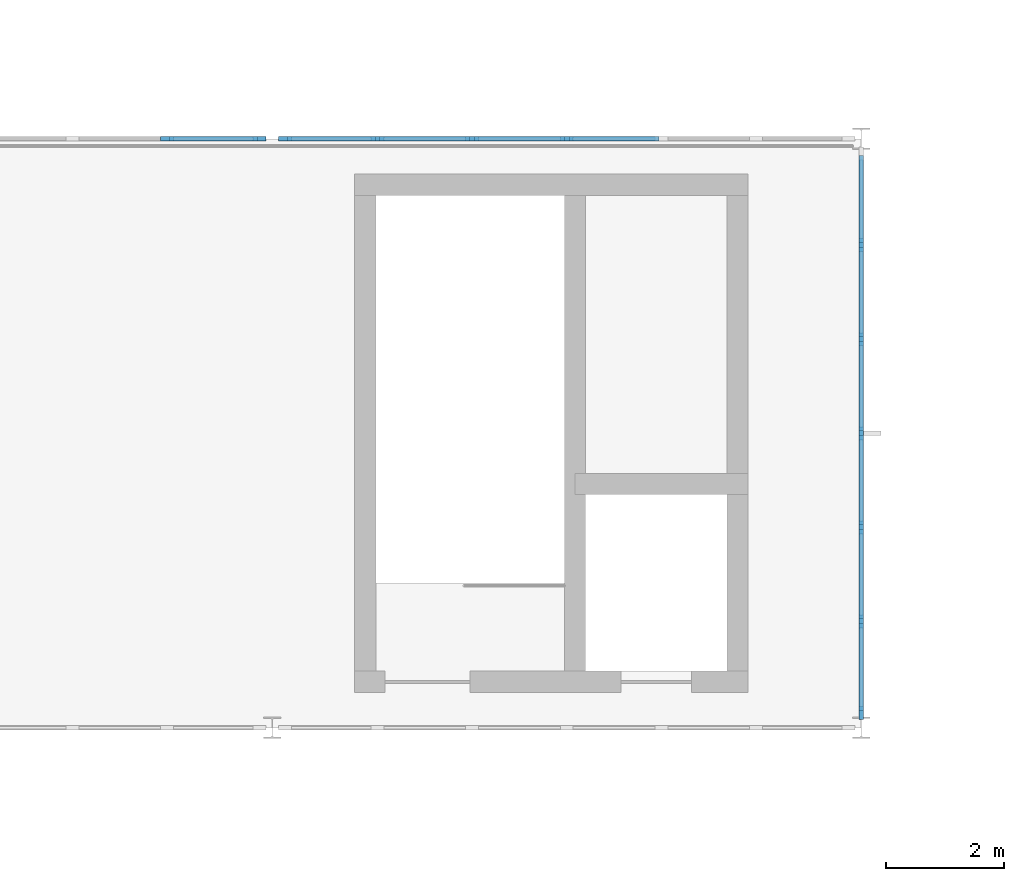
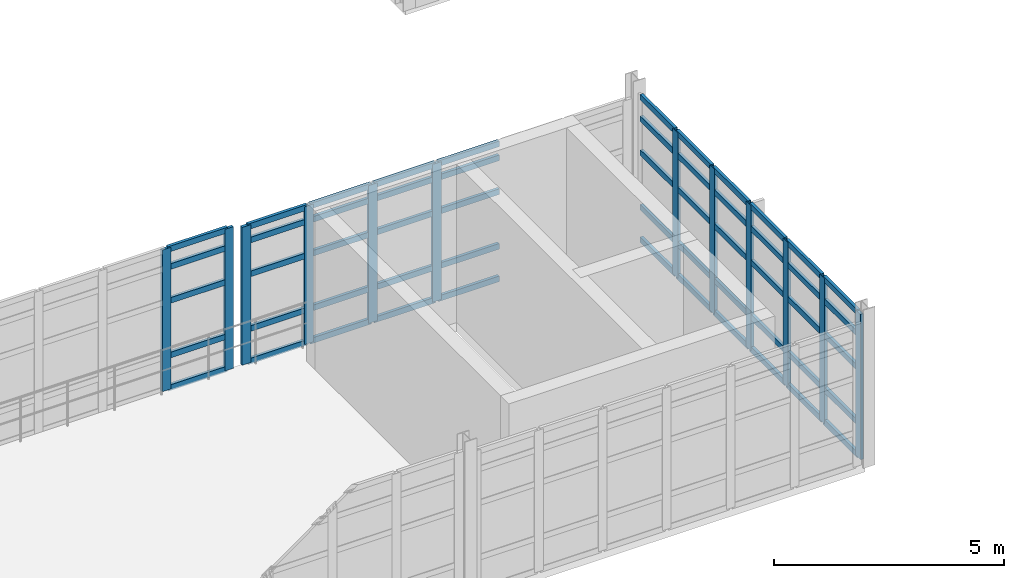
# One storey, part 47 of 122: 67 members, 3 elements without a shape of their own.
"""IFC4 building model written with IfcOpenShell, lengths in metres."""

from ifc_helpers import new_model, si_unit, direction, frame, origin, origin_2d, place, context, subcontext, project, spatial, rectangle, extrude, material, layer, layer_set, material_profile, profile_set, type_object, element, aggregate, save


model = new_model("IFC4")

# Units and contexts
model_context = context("Model", 3, precision=1e-05, world=origin(), true_north=direction((0.0, 1.0)))
body_context = subcontext(model_context, "Body", "Model", "MODEL_VIEW")
ifc_project = project(units=[si_unit("LENGTHUNIT", "METRE"), si_unit("AREAUNIT", "SQUARE_METRE"), si_unit("VOLUMEUNIT", "CUBIC_METRE"), si_unit("PLANEANGLEUNIT", "RADIAN"), si_unit("MASSUNIT", "GRAM", prefix="KILO"), si_unit("THERMODYNAMICTEMPERATUREUNIT", "KELVIN"), si_unit("POWERUNIT", "WATT")], contexts=[model_context])

# Site, building, storey
site_placement = place(None, origin())
site = spatial("IfcSite", under=ifc_project, at=site_placement, CompositionType="ELEMENT")
building_placement = place(site_placement, origin())
building = spatial("IfcBuilding", under=site, at=building_placement, Name="Korenveer Ferry Terminal", CompositionType="ELEMENT")
storey_placement = place(building_placement, frame((0.0, 0.0, 10.199951171875)))
storey = spatial("IfcBuildingStorey", under=building, at=storey_placement, Name="L02", CompositionType="ELEMENT", Elevation=10.199951171875)

# Curtain wall, members
ifc_material_1 = material(Name="Unitised bronze-and-glass curtain wall", Category="glass")
ifc_layer_1 = layer(ifc_material_1, 0.219970703125)
ifc_layer_set_1 = layer_set([ifc_layer_1], Name="Unitised bronze-and-glass curtain wall")
curtain_wall_type_1 = type_object("IfcCurtainWallType", Name="ENV-CW-90", PredefinedType="USERDEFINED", material=ifc_layer_set_1)
curtain_wall_1_placement = place(storey_placement, frame((103.179931640625, 60.0, 0.0)))
curtain_wall_1 = element("IfcCurtainWall", 1, at=curtain_wall_1_placement, inside=storey, type_object=curtain_wall_type_1, Name="Lancet curtain wall CWX-L02-X103-113-Y60-60", ObjectType="UNITISED CURTAIN WALL", PredefinedType="USERDEFINED")
ifc_material_2 = material(Name="Anodised bronze aluminium", Category="aluminium")
ifc_material_profile_1 = material_profile(ifc_material_2, rectangle(XDim=0.074951171875, YDim=0.219970703125, at=origin_2d()), Name="ALU 75x220")
ifc_profile_set_1 = profile_set([ifc_material_profile_1], Name="Anodised bronze aluminium")
member_type_1 = type_object("IfcMemberType", Name="ENV-CWM-75X220", PredefinedType="MULLION", material=ifc_profile_set_1)
member_1_placement = place(storey_placement, frame((111.21337890625, 60.0, 0.0), z_axis=(0.0, 0.0, 1.0), x_axis=(0.0, 1.0, 0.0)))
member_1 = element("IfcMember", 2, at=member_1_placement, type_object=member_type_1, Name="CW-90 mullion 6", PredefinedType="MULLION", context=body_context, shape_type="SweptSolid", body=[
    extrude(rectangle(XDim=0.074951171875, YDim=0.219970703125, at=origin_2d()), origin(), (0.0, 0.0, 1.0), 3.760009765625),
])
member_2_placement = place(storey_placement, frame((112.782470703125, 60.0, 0.0), z_axis=(0.0, 0.0, 1.0), x_axis=(0.0, 1.0, 0.0)))
member_2 = element("IfcMember", 3, at=member_2_placement, type_object=member_type_1, Name="CW-90 mullion 7", PredefinedType="MULLION", context=body_context, shape_type="SweptSolid", body=[
    extrude(rectangle(XDim=0.074951171875, YDim=0.219970703125, at=origin_2d()), origin(), (0.0, 0.0, 1.0), 3.760009765625),
])

ifc_layer_2 = layer(ifc_material_1, 0.219970703125)
ifc_layer_set_2 = layer_set([ifc_layer_2], Name="Unitised bronze-and-glass curtain wall")
curtain_wall_type_2 = type_object("IfcCurtainWallType", Name="ENV-CW-91", PredefinedType="USERDEFINED", material=ifc_layer_set_2)
curtain_wall_2_placement = place(storey_placement, frame((113.179931640625, 60.0, 0.0)))
curtain_wall_2 = element("IfcCurtainWall", 4, at=curtain_wall_2_placement, inside=storey, type_object=curtain_wall_type_2, Name="Lancet curtain wall CWX-L02-X113-123-Y60-60", ObjectType="UNITISED CURTAIN WALL", PredefinedType="USERDEFINED")
member_3_placement = place(storey_placement, frame((113.217529296875, 60.0, 0.0), z_axis=(0.0, 0.0, 1.0), x_axis=(0.0, 1.0, 0.0)))
member_3 = element("IfcMember", 5, at=member_3_placement, type_object=member_type_1, Name="CW-91 mullion 1", PredefinedType="MULLION", context=body_context, shape_type="SweptSolid", body=[
    extrude(rectangle(XDim=0.074951171875, YDim=0.219970703125, at=origin_2d()), origin(), (0.0, 0.0, 1.0), 3.66015625),
])
member_4_placement = place(storey_placement, frame((114.78662109375, 60.0, 0.0), z_axis=(0.0, 0.0, 1.0), x_axis=(0.0, 1.0, 0.0)))
member_4 = element("IfcMember", 6, at=member_4_placement, type_object=member_type_1, Name="CW-91 mullion 2", PredefinedType="MULLION", context=body_context, shape_type="SweptSolid", body=[
    extrude(rectangle(XDim=0.074951171875, YDim=0.219970703125, at=origin_2d()), origin(), (0.0, 0.0, 1.0), 3.66015625),
])
member_5_placement = place(storey_placement, frame((116.393310546875, 60.0, 0.0), z_axis=(0.0, 0.0, 1.0), x_axis=(0.0, 1.0, 0.0)))
member_5 = element("IfcMember", 7, at=member_5_placement, type_object=member_type_1, Name="CW-91 mullion 3", PredefinedType="MULLION", context=body_context, shape_type="SweptSolid", body=[
    extrude(rectangle(XDim=0.074951171875, YDim=0.219970703125, at=origin_2d()), origin(), (0.0, 0.0, 1.0), 3.66015625),
])
member_6_placement = place(storey_placement, frame((118.0, 60.0, 0.0), z_axis=(0.0, 0.0, 1.0), x_axis=(0.0, 1.0, 0.0)))
member_6 = element("IfcMember", 8, at=member_6_placement, type_object=member_type_1, Name="CW-91 mullion 4", PredefinedType="MULLION", context=body_context, shape_type="SweptSolid", body=[
    extrude(rectangle(XDim=0.074951171875, YDim=0.219970703125, at=origin_2d()), origin(), (0.0, 0.0, 1.0), 3.66015625),
])

ifc_layer_3 = layer(ifc_material_1, 0.219970703125)
ifc_layer_set_3 = layer_set([ifc_layer_3], Name="Unitised bronze-and-glass curtain wall")
curtain_wall_type_3 = type_object("IfcCurtainWallType", Name="ENV-CW-120", PredefinedType="USERDEFINED", material=ifc_layer_set_3)
curtain_wall_3_placement = place(storey_placement, frame((123.0, 59.7900390625, 0.0)))
curtain_wall_3 = element("IfcCurtainWall", 9, at=curtain_wall_3_placement, inside=storey, type_object=curtain_wall_type_3, Name="Lancet curtain wall CWX-L02-X123-123-Y50-60", ObjectType="UNITISED CURTAIN WALL", PredefinedType="USERDEFINED")
member_7_placement = place(storey_placement, frame((123.0, 58.193359375, 0.0), z_axis=(0.0, 0.0, 1.0), x_axis=(1.0, 0.0, 0.0)))
member_7 = element("IfcMember", 10, at=member_7_placement, type_object=member_type_1, Name="CW-120 mullion 2", PredefinedType="MULLION", context=body_context, shape_type="SweptSolid", body=[
    extrude(rectangle(XDim=0.074951171875, YDim=0.219970703125, at=origin_2d()), origin(), (0.0, 0.0, 1.0), 3.860107421875),
])
member_8_placement = place(storey_placement, frame((123.0, 56.5966796875, 0.0), z_axis=(0.0, 0.0, 1.0), x_axis=(1.0, 0.0, 0.0)))
member_8 = element("IfcMember", 11, at=member_8_placement, type_object=member_type_1, Name="CW-120 mullion 3", PredefinedType="MULLION", context=body_context, shape_type="SweptSolid", body=[
    extrude(rectangle(XDim=0.074951171875, YDim=0.219970703125, at=origin_2d()), origin(), (0.0, 0.0, 1.0), 3.860107421875),
])
member_9_placement = place(storey_placement, frame((123.0, 55.0, 0.0), z_axis=(0.0, 0.0, 1.0), x_axis=(1.0, 0.0, 0.0)))
member_9 = element("IfcMember", 12, at=member_9_placement, type_object=member_type_1, Name="CW-120 mullion 4", PredefinedType="MULLION", context=body_context, shape_type="SweptSolid", body=[
    extrude(rectangle(XDim=0.074951171875, YDim=0.219970703125, at=origin_2d()), origin(), (0.0, 0.0, 1.0), 3.860107421875),
])
member_10_placement = place(storey_placement, frame((123.0, 53.4033203125, 0.0), z_axis=(0.0, 0.0, 1.0), x_axis=(1.0, 0.0, 0.0)))
member_10 = element("IfcMember", 13, at=member_10_placement, type_object=member_type_1, Name="CW-120 mullion 5", PredefinedType="MULLION", context=body_context, shape_type="SweptSolid", body=[
    extrude(rectangle(XDim=0.074951171875, YDim=0.219970703125, at=origin_2d()), origin(), (0.0, 0.0, 1.0), 3.860107421875),
])
member_11_placement = place(storey_placement, frame((123.0, 51.806640625, 0.0), z_axis=(0.0, 0.0, 1.0), x_axis=(1.0, 0.0, 0.0)))
member_11 = element("IfcMember", 14, at=member_11_placement, type_object=member_type_1, Name="CW-120 mullion 6", PredefinedType="MULLION", context=body_context, shape_type="SweptSolid", body=[
    extrude(rectangle(XDim=0.074951171875, YDim=0.219970703125, at=origin_2d()), origin(), (0.0, 0.0, 1.0), 3.860107421875),
])
member_12_placement = place(storey_placement, frame((123.0, 50.24755859375, 0.0), z_axis=(0.0, 0.0, 1.0), x_axis=(1.0, 0.0, 0.0)))
member_12 = element("IfcMember", 15, at=member_12_placement, type_object=member_type_1, Name="CW-120 mullion 7", PredefinedType="MULLION", context=body_context, shape_type="SweptSolid", body=[
    extrude(rectangle(XDim=0.074951171875, YDim=0.219970703125, at=origin_2d()), origin(), (0.0, 0.0, 1.0), 3.860107421875),
])

# Member
ifc_material_profile_2 = material_profile(ifc_material_2, rectangle(XDim=0.074951171875, YDim=0.14990234375, at=origin_2d()), Name="ALU 75x150")
ifc_profile_set_2 = profile_set([ifc_material_profile_2], Name="Anodised bronze aluminium")
member_type_2 = type_object("IfcMemberType", Name="ENV-CWT-75X150", PredefinedType="USERDEFINED", material=ifc_profile_set_2)
member_13_placement = place(storey_placement, frame((111.250732421875, 60.0, 0.03759765625), z_axis=(1.0, 0.0, 0.0), x_axis=(0.0, 1.0, 0.0)))
member_13 = element("IfcMember", 16, at=member_13_placement, type_object=member_type_2, Name="CW-90 transom 6.1", ObjectType="TRANSOM", PredefinedType="USERDEFINED", context=body_context, shape_type="SweptSolid", body=[
    extrude(rectangle(XDim=0.074951171875, YDim=0.14990234375, at=origin_2d()), origin(), (0.0, 0.0, 1.0), 1.494384765625),
])

member_14_placement = place(storey_placement, frame((111.250732421875, 60.0, 0.900146484375), z_axis=(1.0, 0.0, 0.0), x_axis=(0.0, 1.0, 0.0)))
member_14 = element("IfcMember", 17, at=member_14_placement, type_object=member_type_2, Name="CW-90 transom 6.2", ObjectType="TRANSOM", PredefinedType="USERDEFINED", context=body_context, shape_type="SweptSolid", body=[
    extrude(rectangle(XDim=0.074951171875, YDim=0.14990234375, at=origin_2d()), origin(), (0.0, 0.0, 1.0), 1.494384765625),
])

member_15_placement = place(storey_placement, frame((111.250732421875, 60.0, 2.35009765625), z_axis=(1.0, 0.0, 0.0), x_axis=(0.0, 1.0, 0.0)))
member_15 = element("IfcMember", 18, at=member_15_placement, type_object=member_type_2, Name="CW-90 transom 6.3", ObjectType="TRANSOM", PredefinedType="USERDEFINED", context=body_context, shape_type="SweptSolid", body=[
    extrude(rectangle(XDim=0.074951171875, YDim=0.14990234375, at=origin_2d()), origin(), (0.0, 0.0, 1.0), 1.494384765625),
])

member_16_placement = place(storey_placement, frame((111.250732421875, 60.0, 3.25), z_axis=(1.0, 0.0, 0.0), x_axis=(0.0, 1.0, 0.0)))
member_16 = element("IfcMember", 19, at=member_16_placement, type_object=member_type_2, Name="CW-90 transom 6.4", ObjectType="TRANSOM", PredefinedType="USERDEFINED", context=body_context, shape_type="SweptSolid", body=[
    extrude(rectangle(XDim=0.074951171875, YDim=0.14990234375, at=origin_2d()), origin(), (0.0, 0.0, 1.0), 1.494384765625),
])

member_17_placement = place(storey_placement, frame((111.250732421875, 60.0, 3.72265625), z_axis=(1.0, 0.0, 0.0), x_axis=(0.0, 1.0, 0.0)))
member_17 = element("IfcMember", 20, at=member_17_placement, type_object=member_type_2, Name="CW-90 transom 6.5", ObjectType="TRANSOM", PredefinedType="USERDEFINED", context=body_context, shape_type="SweptSolid", body=[
    extrude(rectangle(XDim=0.074951171875, YDim=0.14990234375, at=origin_2d()), origin(), (0.0, 0.0, 1.0), 1.494384765625),
])

aggregate(curtain_wall_1, [member_1, member_2, member_13, member_14, member_15, member_16, member_17])

member_18_placement = place(storey_placement, frame((113.2548828125, 60.0, 0.03759765625), z_axis=(1.0, 0.0, 0.0), x_axis=(0.0, 1.0, 0.0)))
member_18 = element("IfcMember", 21, at=member_18_placement, type_object=member_type_2, Name="CW-91 transom 1.1", ObjectType="TRANSOM", PredefinedType="USERDEFINED", context=body_context, shape_type="SweptSolid", body=[
    extrude(rectangle(XDim=0.074951171875, YDim=0.14990234375, at=origin_2d()), origin(), (0.0, 0.0, 1.0), 1.494384765625),
])

member_19_placement = place(storey_placement, frame((113.2548828125, 60.0, 0.900146484375), z_axis=(1.0, 0.0, 0.0), x_axis=(0.0, 1.0, 0.0)))
member_19 = element("IfcMember", 22, at=member_19_placement, type_object=member_type_2, Name="CW-91 transom 1.2", ObjectType="TRANSOM", PredefinedType="USERDEFINED", context=body_context, shape_type="SweptSolid", body=[
    extrude(rectangle(XDim=0.074951171875, YDim=0.14990234375, at=origin_2d()), origin(), (0.0, 0.0, 1.0), 1.494384765625),
])

member_20_placement = place(storey_placement, frame((113.2548828125, 60.0, 2.35009765625), z_axis=(1.0, 0.0, 0.0), x_axis=(0.0, 1.0, 0.0)))
member_20 = element("IfcMember", 23, at=member_20_placement, type_object=member_type_2, Name="CW-91 transom 1.3", ObjectType="TRANSOM", PredefinedType="USERDEFINED", context=body_context, shape_type="SweptSolid", body=[
    extrude(rectangle(XDim=0.074951171875, YDim=0.14990234375, at=origin_2d()), origin(), (0.0, 0.0, 1.0), 1.494384765625),
])

member_21_placement = place(storey_placement, frame((113.2548828125, 60.0, 3.25), z_axis=(1.0, 0.0, 0.0), x_axis=(0.0, 1.0, 0.0)))
member_21 = element("IfcMember", 24, at=member_21_placement, type_object=member_type_2, Name="CW-91 transom 1.4", ObjectType="TRANSOM", PredefinedType="USERDEFINED", context=body_context, shape_type="SweptSolid", body=[
    extrude(rectangle(XDim=0.074951171875, YDim=0.14990234375, at=origin_2d()), origin(), (0.0, 0.0, 1.0), 1.494384765625),
])

member_22_placement = place(storey_placement, frame((113.2548828125, 60.0, 3.62255859375), z_axis=(1.0, 0.0, 0.0), x_axis=(0.0, 1.0, 0.0)))
member_22 = element("IfcMember", 25, at=member_22_placement, type_object=member_type_2, Name="CW-91 transom 1.5", ObjectType="TRANSOM", PredefinedType="USERDEFINED", context=body_context, shape_type="SweptSolid", body=[
    extrude(rectangle(XDim=0.074951171875, YDim=0.14990234375, at=origin_2d()), origin(), (0.0, 0.0, 1.0), 1.494384765625),
])

member_23_placement = place(storey_placement, frame((114.82421875, 60.0, 0.03759765625), z_axis=(1.0, 0.0, 0.0), x_axis=(0.0, 1.0, 0.0)))
member_23 = element("IfcMember", 26, at=member_23_placement, type_object=member_type_2, Name="CW-91 transom 2.1", ObjectType="TRANSOM", PredefinedType="USERDEFINED", context=body_context, shape_type="SweptSolid", body=[
    extrude(rectangle(XDim=0.074951171875, YDim=0.14990234375, at=origin_2d()), origin(), (0.0, 0.0, 1.0), 1.531494140625),
])

member_24_placement = place(storey_placement, frame((114.82421875, 60.0, 0.900146484375), z_axis=(1.0, 0.0, 0.0), x_axis=(0.0, 1.0, 0.0)))
member_24 = element("IfcMember", 27, at=member_24_placement, type_object=member_type_2, Name="CW-91 transom 2.2", ObjectType="TRANSOM", PredefinedType="USERDEFINED", context=body_context, shape_type="SweptSolid", body=[
    extrude(rectangle(XDim=0.074951171875, YDim=0.14990234375, at=origin_2d()), origin(), (0.0, 0.0, 1.0), 1.531494140625),
])

member_25_placement = place(storey_placement, frame((114.82421875, 60.0, 2.35009765625), z_axis=(1.0, 0.0, 0.0), x_axis=(0.0, 1.0, 0.0)))
member_25 = element("IfcMember", 28, at=member_25_placement, type_object=member_type_2, Name="CW-91 transom 2.3", ObjectType="TRANSOM", PredefinedType="USERDEFINED", context=body_context, shape_type="SweptSolid", body=[
    extrude(rectangle(XDim=0.074951171875, YDim=0.14990234375, at=origin_2d()), origin(), (0.0, 0.0, 1.0), 1.531494140625),
])

member_26_placement = place(storey_placement, frame((114.82421875, 60.0, 3.25), z_axis=(1.0, 0.0, 0.0), x_axis=(0.0, 1.0, 0.0)))
member_26 = element("IfcMember", 29, at=member_26_placement, type_object=member_type_2, Name="CW-91 transom 2.4", ObjectType="TRANSOM", PredefinedType="USERDEFINED", context=body_context, shape_type="SweptSolid", body=[
    extrude(rectangle(XDim=0.074951171875, YDim=0.14990234375, at=origin_2d()), origin(), (0.0, 0.0, 1.0), 1.531494140625),
])

member_27_placement = place(storey_placement, frame((114.82421875, 60.0, 3.62255859375), z_axis=(1.0, 0.0, 0.0), x_axis=(0.0, 1.0, 0.0)))
member_27 = element("IfcMember", 30, at=member_27_placement, type_object=member_type_2, Name="CW-91 transom 2.5", ObjectType="TRANSOM", PredefinedType="USERDEFINED", context=body_context, shape_type="SweptSolid", body=[
    extrude(rectangle(XDim=0.074951171875, YDim=0.14990234375, at=origin_2d()), origin(), (0.0, 0.0, 1.0), 1.531494140625),
])

member_28_placement = place(storey_placement, frame((116.430908203125, 60.0, 0.03759765625), z_axis=(1.0, 0.0, 0.0), x_axis=(0.0, 1.0, 0.0)))
member_28 = element("IfcMember", 31, at=member_28_placement, type_object=member_type_2, Name="CW-91 transom 3.1", ObjectType="TRANSOM", PredefinedType="USERDEFINED", context=body_context, shape_type="SweptSolid", body=[
    extrude(rectangle(XDim=0.074951171875, YDim=0.14990234375, at=origin_2d()), origin(), (0.0, 0.0, 1.0), 1.531494140625),
])

member_29_placement = place(storey_placement, frame((116.430908203125, 60.0, 0.900146484375), z_axis=(1.0, 0.0, 0.0), x_axis=(0.0, 1.0, 0.0)))
member_29 = element("IfcMember", 32, at=member_29_placement, type_object=member_type_2, Name="CW-91 transom 3.2", ObjectType="TRANSOM", PredefinedType="USERDEFINED", context=body_context, shape_type="SweptSolid", body=[
    extrude(rectangle(XDim=0.074951171875, YDim=0.14990234375, at=origin_2d()), origin(), (0.0, 0.0, 1.0), 1.531494140625),
])

member_30_placement = place(storey_placement, frame((116.430908203125, 60.0, 2.35009765625), z_axis=(1.0, 0.0, 0.0), x_axis=(0.0, 1.0, 0.0)))
member_30 = element("IfcMember", 33, at=member_30_placement, type_object=member_type_2, Name="CW-91 transom 3.3", ObjectType="TRANSOM", PredefinedType="USERDEFINED", context=body_context, shape_type="SweptSolid", body=[
    extrude(rectangle(XDim=0.074951171875, YDim=0.14990234375, at=origin_2d()), origin(), (0.0, 0.0, 1.0), 1.531494140625),
])

member_31_placement = place(storey_placement, frame((116.430908203125, 60.0, 3.25), z_axis=(1.0, 0.0, 0.0), x_axis=(0.0, 1.0, 0.0)))
member_31 = element("IfcMember", 34, at=member_31_placement, type_object=member_type_2, Name="CW-91 transom 3.4", ObjectType="TRANSOM", PredefinedType="USERDEFINED", context=body_context, shape_type="SweptSolid", body=[
    extrude(rectangle(XDim=0.074951171875, YDim=0.14990234375, at=origin_2d()), origin(), (0.0, 0.0, 1.0), 1.531494140625),
])

member_32_placement = place(storey_placement, frame((116.430908203125, 60.0, 3.62255859375), z_axis=(1.0, 0.0, 0.0), x_axis=(0.0, 1.0, 0.0)))
member_32 = element("IfcMember", 35, at=member_32_placement, type_object=member_type_2, Name="CW-91 transom 3.5", ObjectType="TRANSOM", PredefinedType="USERDEFINED", context=body_context, shape_type="SweptSolid", body=[
    extrude(rectangle(XDim=0.074951171875, YDim=0.14990234375, at=origin_2d()), origin(), (0.0, 0.0, 1.0), 1.531494140625),
])

member_33_placement = place(storey_placement, frame((118.03759765625, 60.0, 0.03759765625), z_axis=(1.0, 0.0, 0.0), x_axis=(0.0, 1.0, 0.0)))
member_33 = element("IfcMember", 36, at=member_33_placement, type_object=member_type_2, Name="CW-91 transom 4.1", ObjectType="TRANSOM", PredefinedType="USERDEFINED", context=body_context, shape_type="SweptSolid", body=[
    extrude(rectangle(XDim=0.074951171875, YDim=0.14990234375, at=origin_2d()), origin(), (0.0, 0.0, 1.0), 1.531494140625),
])

member_34_placement = place(storey_placement, frame((118.03759765625, 60.0, 0.900146484375), z_axis=(1.0, 0.0, 0.0), x_axis=(0.0, 1.0, 0.0)))
member_34 = element("IfcMember", 37, at=member_34_placement, type_object=member_type_2, Name="CW-91 transom 4.2", ObjectType="TRANSOM", PredefinedType="USERDEFINED", context=body_context, shape_type="SweptSolid", body=[
    extrude(rectangle(XDim=0.074951171875, YDim=0.14990234375, at=origin_2d()), origin(), (0.0, 0.0, 1.0), 1.531494140625),
])

member_35_placement = place(storey_placement, frame((118.03759765625, 60.0, 2.35009765625), z_axis=(1.0, 0.0, 0.0), x_axis=(0.0, 1.0, 0.0)))
member_35 = element("IfcMember", 38, at=member_35_placement, type_object=member_type_2, Name="CW-91 transom 4.3", ObjectType="TRANSOM", PredefinedType="USERDEFINED", context=body_context, shape_type="SweptSolid", body=[
    extrude(rectangle(XDim=0.074951171875, YDim=0.14990234375, at=origin_2d()), origin(), (0.0, 0.0, 1.0), 1.531494140625),
])

member_36_placement = place(storey_placement, frame((118.03759765625, 60.0, 3.25), z_axis=(1.0, 0.0, 0.0), x_axis=(0.0, 1.0, 0.0)))
member_36 = element("IfcMember", 39, at=member_36_placement, type_object=member_type_2, Name="CW-91 transom 4.4", ObjectType="TRANSOM", PredefinedType="USERDEFINED", context=body_context, shape_type="SweptSolid", body=[
    extrude(rectangle(XDim=0.074951171875, YDim=0.14990234375, at=origin_2d()), origin(), (0.0, 0.0, 1.0), 1.531494140625),
])

member_37_placement = place(storey_placement, frame((118.03759765625, 60.0, 3.62255859375), z_axis=(1.0, 0.0, 0.0), x_axis=(0.0, 1.0, 0.0)))
member_37 = element("IfcMember", 40, at=member_37_placement, type_object=member_type_2, Name="CW-91 transom 4.5", ObjectType="TRANSOM", PredefinedType="USERDEFINED", context=body_context, shape_type="SweptSolid", body=[
    extrude(rectangle(XDim=0.074951171875, YDim=0.14990234375, at=origin_2d()), origin(), (0.0, 0.0, 1.0), 1.531494140625),
])

aggregate(curtain_wall_2, [member_3, member_4, member_5, member_6, member_18, member_19, member_20, member_21, member_22, member_23, member_24, member_25, member_26, member_27, member_28, member_29, member_30, member_31, member_32, member_33, member_34, member_35, member_36, member_37])

member_38_placement = place(storey_placement, frame((123.0, 59.715087890625, 0.03759765625), z_axis=(0.0, -1.0, 0.0), x_axis=(1.0, 0.0, 0.0)))
member_38 = element("IfcMember", 41, at=member_38_placement, type_object=member_type_2, Name="CW-120 transom 1.1", ObjectType="TRANSOM", PredefinedType="USERDEFINED", context=body_context, shape_type="SweptSolid", body=[
    extrude(rectangle(XDim=0.074951171875, YDim=0.14990234375, at=origin_2d()), origin(), (0.0, 0.0, 1.0), 1.484375),
])

member_39_placement = place(storey_placement, frame((123.0, 59.715087890625, 0.900146484375), z_axis=(0.0, -1.0, 0.0), x_axis=(1.0, 0.0, 0.0)))
member_39 = element("IfcMember", 42, at=member_39_placement, type_object=member_type_2, Name="CW-120 transom 1.2", ObjectType="TRANSOM", PredefinedType="USERDEFINED", context=body_context, shape_type="SweptSolid", body=[
    extrude(rectangle(XDim=0.074951171875, YDim=0.14990234375, at=origin_2d()), origin(), (0.0, 0.0, 1.0), 1.484375),
])

member_40_placement = place(storey_placement, frame((123.0, 59.715087890625, 2.35009765625), z_axis=(0.0, -1.0, 0.0), x_axis=(1.0, 0.0, 0.0)))
member_40 = element("IfcMember", 43, at=member_40_placement, type_object=member_type_2, Name="CW-120 transom 1.3", ObjectType="TRANSOM", PredefinedType="USERDEFINED", context=body_context, shape_type="SweptSolid", body=[
    extrude(rectangle(XDim=0.074951171875, YDim=0.14990234375, at=origin_2d()), origin(), (0.0, 0.0, 1.0), 1.484375),
])

member_41_placement = place(storey_placement, frame((123.0, 59.715087890625, 3.25), z_axis=(0.0, -1.0, 0.0), x_axis=(1.0, 0.0, 0.0)))
member_41 = element("IfcMember", 44, at=member_41_placement, type_object=member_type_2, Name="CW-120 transom 1.4", ObjectType="TRANSOM", PredefinedType="USERDEFINED", context=body_context, shape_type="SweptSolid", body=[
    extrude(rectangle(XDim=0.074951171875, YDim=0.14990234375, at=origin_2d()), origin(), (0.0, 0.0, 1.0), 1.484375),
])

member_42_placement = place(storey_placement, frame((123.0, 59.715087890625, 3.822509765625), z_axis=(0.0, -1.0, 0.0), x_axis=(1.0, 0.0, 0.0)))
member_42 = element("IfcMember", 45, at=member_42_placement, type_object=member_type_2, Name="CW-120 transom 1.5", ObjectType="TRANSOM", PredefinedType="USERDEFINED", context=body_context, shape_type="SweptSolid", body=[
    extrude(rectangle(XDim=0.074951171875, YDim=0.14990234375, at=origin_2d()), origin(), (0.0, 0.0, 1.0), 1.484375),
])

member_43_placement = place(storey_placement, frame((123.0, 58.15576171875, 0.03759765625), z_axis=(0.0, -1.0, 0.0), x_axis=(1.0, 0.0, 0.0)))
member_43 = element("IfcMember", 46, at=member_43_placement, type_object=member_type_2, Name="CW-120 transom 2.1", ObjectType="TRANSOM", PredefinedType="USERDEFINED", context=body_context, shape_type="SweptSolid", body=[
    extrude(rectangle(XDim=0.074951171875, YDim=0.14990234375, at=origin_2d()), origin(), (0.0, 0.0, 1.0), 1.521484375),
])

member_44_placement = place(storey_placement, frame((123.0, 58.15576171875, 0.900146484375), z_axis=(0.0, -1.0, 0.0), x_axis=(1.0, 0.0, 0.0)))
member_44 = element("IfcMember", 47, at=member_44_placement, type_object=member_type_2, Name="CW-120 transom 2.2", ObjectType="TRANSOM", PredefinedType="USERDEFINED", context=body_context, shape_type="SweptSolid", body=[
    extrude(rectangle(XDim=0.074951171875, YDim=0.14990234375, at=origin_2d()), origin(), (0.0, 0.0, 1.0), 1.521484375),
])

member_45_placement = place(storey_placement, frame((123.0, 58.15576171875, 2.35009765625), z_axis=(0.0, -1.0, 0.0), x_axis=(1.0, 0.0, 0.0)))
member_45 = element("IfcMember", 48, at=member_45_placement, type_object=member_type_2, Name="CW-120 transom 2.3", ObjectType="TRANSOM", PredefinedType="USERDEFINED", context=body_context, shape_type="SweptSolid", body=[
    extrude(rectangle(XDim=0.074951171875, YDim=0.14990234375, at=origin_2d()), origin(), (0.0, 0.0, 1.0), 1.521484375),
])

member_46_placement = place(storey_placement, frame((123.0, 58.15576171875, 3.25), z_axis=(0.0, -1.0, 0.0), x_axis=(1.0, 0.0, 0.0)))
member_46 = element("IfcMember", 49, at=member_46_placement, type_object=member_type_2, Name="CW-120 transom 2.4", ObjectType="TRANSOM", PredefinedType="USERDEFINED", context=body_context, shape_type="SweptSolid", body=[
    extrude(rectangle(XDim=0.074951171875, YDim=0.14990234375, at=origin_2d()), origin(), (0.0, 0.0, 1.0), 1.521484375),
])

member_47_placement = place(storey_placement, frame((123.0, 58.15576171875, 3.822509765625), z_axis=(0.0, -1.0, 0.0), x_axis=(1.0, 0.0, 0.0)))
member_47 = element("IfcMember", 50, at=member_47_placement, type_object=member_type_2, Name="CW-120 transom 2.5", ObjectType="TRANSOM", PredefinedType="USERDEFINED", context=body_context, shape_type="SweptSolid", body=[
    extrude(rectangle(XDim=0.074951171875, YDim=0.14990234375, at=origin_2d()), origin(), (0.0, 0.0, 1.0), 1.521484375),
])

member_48_placement = place(storey_placement, frame((123.0, 56.55908203125, 0.03759765625), z_axis=(0.0, -1.0, 0.0), x_axis=(1.0, 0.0, 0.0)))
member_48 = element("IfcMember", 51, at=member_48_placement, type_object=member_type_2, Name="CW-120 transom 3.1", ObjectType="TRANSOM", PredefinedType="USERDEFINED", context=body_context, shape_type="SweptSolid", body=[
    extrude(rectangle(XDim=0.074951171875, YDim=0.14990234375, at=origin_2d()), origin(), (0.0, 0.0, 1.0), 1.521484375),
])

member_49_placement = place(storey_placement, frame((123.0, 56.55908203125, 0.900146484375), z_axis=(0.0, -1.0, 0.0), x_axis=(1.0, 0.0, 0.0)))
member_49 = element("IfcMember", 52, at=member_49_placement, type_object=member_type_2, Name="CW-120 transom 3.2", ObjectType="TRANSOM", PredefinedType="USERDEFINED", context=body_context, shape_type="SweptSolid", body=[
    extrude(rectangle(XDim=0.074951171875, YDim=0.14990234375, at=origin_2d()), origin(), (0.0, 0.0, 1.0), 1.521484375),
])

member_50_placement = place(storey_placement, frame((123.0, 56.55908203125, 2.35009765625), z_axis=(0.0, -1.0, 0.0), x_axis=(1.0, 0.0, 0.0)))
member_50 = element("IfcMember", 53, at=member_50_placement, type_object=member_type_2, Name="CW-120 transom 3.3", ObjectType="TRANSOM", PredefinedType="USERDEFINED", context=body_context, shape_type="SweptSolid", body=[
    extrude(rectangle(XDim=0.074951171875, YDim=0.14990234375, at=origin_2d()), origin(), (0.0, 0.0, 1.0), 1.521484375),
])

member_51_placement = place(storey_placement, frame((123.0, 56.55908203125, 3.25), z_axis=(0.0, -1.0, 0.0), x_axis=(1.0, 0.0, 0.0)))
member_51 = element("IfcMember", 54, at=member_51_placement, type_object=member_type_2, Name="CW-120 transom 3.4", ObjectType="TRANSOM", PredefinedType="USERDEFINED", context=body_context, shape_type="SweptSolid", body=[
    extrude(rectangle(XDim=0.074951171875, YDim=0.14990234375, at=origin_2d()), origin(), (0.0, 0.0, 1.0), 1.521484375),
])

member_52_placement = place(storey_placement, frame((123.0, 56.55908203125, 3.822509765625), z_axis=(0.0, -1.0, 0.0), x_axis=(1.0, 0.0, 0.0)))
member_52 = element("IfcMember", 55, at=member_52_placement, type_object=member_type_2, Name="CW-120 transom 3.5", ObjectType="TRANSOM", PredefinedType="USERDEFINED", context=body_context, shape_type="SweptSolid", body=[
    extrude(rectangle(XDim=0.074951171875, YDim=0.14990234375, at=origin_2d()), origin(), (0.0, 0.0, 1.0), 1.521484375),
])

member_53_placement = place(storey_placement, frame((123.0, 54.96240234375, 0.03759765625), z_axis=(0.0, -1.0, 0.0), x_axis=(1.0, 0.0, 0.0)))
member_53 = element("IfcMember", 56, at=member_53_placement, type_object=member_type_2, Name="CW-120 transom 4.1", ObjectType="TRANSOM", PredefinedType="USERDEFINED", context=body_context, shape_type="SweptSolid", body=[
    extrude(rectangle(XDim=0.074951171875, YDim=0.14990234375, at=origin_2d()), origin(), (0.0, 0.0, 1.0), 1.521484375),
])

member_54_placement = place(storey_placement, frame((123.0, 54.96240234375, 0.900146484375), z_axis=(0.0, -1.0, 0.0), x_axis=(1.0, 0.0, 0.0)))
member_54 = element("IfcMember", 57, at=member_54_placement, type_object=member_type_2, Name="CW-120 transom 4.2", ObjectType="TRANSOM", PredefinedType="USERDEFINED", context=body_context, shape_type="SweptSolid", body=[
    extrude(rectangle(XDim=0.074951171875, YDim=0.14990234375, at=origin_2d()), origin(), (0.0, 0.0, 1.0), 1.521484375),
])

member_55_placement = place(storey_placement, frame((123.0, 54.96240234375, 2.35009765625), z_axis=(0.0, -1.0, 0.0), x_axis=(1.0, 0.0, 0.0)))
member_55 = element("IfcMember", 58, at=member_55_placement, type_object=member_type_2, Name="CW-120 transom 4.3", ObjectType="TRANSOM", PredefinedType="USERDEFINED", context=body_context, shape_type="SweptSolid", body=[
    extrude(rectangle(XDim=0.074951171875, YDim=0.14990234375, at=origin_2d()), origin(), (0.0, 0.0, 1.0), 1.521484375),
])

member_56_placement = place(storey_placement, frame((123.0, 54.96240234375, 3.25), z_axis=(0.0, -1.0, 0.0), x_axis=(1.0, 0.0, 0.0)))
member_56 = element("IfcMember", 59, at=member_56_placement, type_object=member_type_2, Name="CW-120 transom 4.4", ObjectType="TRANSOM", PredefinedType="USERDEFINED", context=body_context, shape_type="SweptSolid", body=[
    extrude(rectangle(XDim=0.074951171875, YDim=0.14990234375, at=origin_2d()), origin(), (0.0, 0.0, 1.0), 1.521484375),
])

member_57_placement = place(storey_placement, frame((123.0, 54.96240234375, 3.822509765625), z_axis=(0.0, -1.0, 0.0), x_axis=(1.0, 0.0, 0.0)))
member_57 = element("IfcMember", 60, at=member_57_placement, type_object=member_type_2, Name="CW-120 transom 4.5", ObjectType="TRANSOM", PredefinedType="USERDEFINED", context=body_context, shape_type="SweptSolid", body=[
    extrude(rectangle(XDim=0.074951171875, YDim=0.14990234375, at=origin_2d()), origin(), (0.0, 0.0, 1.0), 1.521484375),
])

member_58_placement = place(storey_placement, frame((123.0, 53.36572265625, 0.03759765625), z_axis=(0.0, -1.0, 0.0), x_axis=(1.0, 0.0, 0.0)))
member_58 = element("IfcMember", 61, at=member_58_placement, type_object=member_type_2, Name="CW-120 transom 5.1", ObjectType="TRANSOM", PredefinedType="USERDEFINED", context=body_context, shape_type="SweptSolid", body=[
    extrude(rectangle(XDim=0.074951171875, YDim=0.14990234375, at=origin_2d()), origin(), (0.0, 0.0, 1.0), 1.521484375),
])

member_59_placement = place(storey_placement, frame((123.0, 53.36572265625, 0.900146484375), z_axis=(0.0, -1.0, 0.0), x_axis=(1.0, 0.0, 0.0)))
member_59 = element("IfcMember", 62, at=member_59_placement, type_object=member_type_2, Name="CW-120 transom 5.2", ObjectType="TRANSOM", PredefinedType="USERDEFINED", context=body_context, shape_type="SweptSolid", body=[
    extrude(rectangle(XDim=0.074951171875, YDim=0.14990234375, at=origin_2d()), origin(), (0.0, 0.0, 1.0), 1.521484375),
])

member_60_placement = place(storey_placement, frame((123.0, 53.36572265625, 2.35009765625), z_axis=(0.0, -1.0, 0.0), x_axis=(1.0, 0.0, 0.0)))
member_60 = element("IfcMember", 63, at=member_60_placement, type_object=member_type_2, Name="CW-120 transom 5.3", ObjectType="TRANSOM", PredefinedType="USERDEFINED", context=body_context, shape_type="SweptSolid", body=[
    extrude(rectangle(XDim=0.074951171875, YDim=0.14990234375, at=origin_2d()), origin(), (0.0, 0.0, 1.0), 1.521484375),
])

member_61_placement = place(storey_placement, frame((123.0, 53.36572265625, 3.25), z_axis=(0.0, -1.0, 0.0), x_axis=(1.0, 0.0, 0.0)))
member_61 = element("IfcMember", 64, at=member_61_placement, type_object=member_type_2, Name="CW-120 transom 5.4", ObjectType="TRANSOM", PredefinedType="USERDEFINED", context=body_context, shape_type="SweptSolid", body=[
    extrude(rectangle(XDim=0.074951171875, YDim=0.14990234375, at=origin_2d()), origin(), (0.0, 0.0, 1.0), 1.521484375),
])

member_62_placement = place(storey_placement, frame((123.0, 53.36572265625, 3.822509765625), z_axis=(0.0, -1.0, 0.0), x_axis=(1.0, 0.0, 0.0)))
member_62 = element("IfcMember", 65, at=member_62_placement, type_object=member_type_2, Name="CW-120 transom 5.5", ObjectType="TRANSOM", PredefinedType="USERDEFINED", context=body_context, shape_type="SweptSolid", body=[
    extrude(rectangle(XDim=0.074951171875, YDim=0.14990234375, at=origin_2d()), origin(), (0.0, 0.0, 1.0), 1.521484375),
])

member_63_placement = place(storey_placement, frame((123.0, 51.769287109375, 0.03759765625), z_axis=(0.0, -1.0, 0.0), x_axis=(1.0, 0.0, 0.0)))
member_63 = element("IfcMember", 66, at=member_63_placement, type_object=member_type_2, Name="CW-120 transom 6.1", ObjectType="TRANSOM", PredefinedType="USERDEFINED", context=body_context, shape_type="SweptSolid", body=[
    extrude(rectangle(XDim=0.074951171875, YDim=0.14990234375, at=origin_2d()), origin(), (0.0, 0.0, 1.0), 1.484375),
])

member_64_placement = place(storey_placement, frame((123.0, 51.769287109375, 0.900146484375), z_axis=(0.0, -1.0, 0.0), x_axis=(1.0, 0.0, 0.0)))
member_64 = element("IfcMember", 67, at=member_64_placement, type_object=member_type_2, Name="CW-120 transom 6.2", ObjectType="TRANSOM", PredefinedType="USERDEFINED", context=body_context, shape_type="SweptSolid", body=[
    extrude(rectangle(XDim=0.074951171875, YDim=0.14990234375, at=origin_2d()), origin(), (0.0, 0.0, 1.0), 1.484375),
])

member_65_placement = place(storey_placement, frame((123.0, 51.769287109375, 2.35009765625), z_axis=(0.0, -1.0, 0.0), x_axis=(1.0, 0.0, 0.0)))
member_65 = element("IfcMember", 68, at=member_65_placement, type_object=member_type_2, Name="CW-120 transom 6.3", ObjectType="TRANSOM", PredefinedType="USERDEFINED", context=body_context, shape_type="SweptSolid", body=[
    extrude(rectangle(XDim=0.074951171875, YDim=0.14990234375, at=origin_2d()), origin(), (0.0, 0.0, 1.0), 1.484375),
])

member_66_placement = place(storey_placement, frame((123.0, 51.769287109375, 3.25), z_axis=(0.0, -1.0, 0.0), x_axis=(1.0, 0.0, 0.0)))
member_66 = element("IfcMember", 69, at=member_66_placement, type_object=member_type_2, Name="CW-120 transom 6.4", ObjectType="TRANSOM", PredefinedType="USERDEFINED", context=body_context, shape_type="SweptSolid", body=[
    extrude(rectangle(XDim=0.074951171875, YDim=0.14990234375, at=origin_2d()), origin(), (0.0, 0.0, 1.0), 1.484375),
])

member_67_placement = place(storey_placement, frame((123.0, 51.769287109375, 3.822509765625), z_axis=(0.0, -1.0, 0.0), x_axis=(1.0, 0.0, 0.0)))
member_67 = element("IfcMember", 70, at=member_67_placement, type_object=member_type_2, Name="CW-120 transom 6.5", ObjectType="TRANSOM", PredefinedType="USERDEFINED", context=body_context, shape_type="SweptSolid", body=[
    extrude(rectangle(XDim=0.074951171875, YDim=0.14990234375, at=origin_2d()), origin(), (0.0, 0.0, 1.0), 1.484375),
])

aggregate(curtain_wall_3, [member_7, member_8, member_9, member_10, member_11, member_12, member_38, member_39, member_40, member_41, member_42, member_43, member_44, member_45, member_46, member_47, member_48, member_49, member_50, member_51, member_52, member_53, member_54, member_55, member_56, member_57, member_58, member_59, member_60, member_61, member_62, member_63, member_64, member_65, member_66, member_67])

save(model, "model.ifc")
